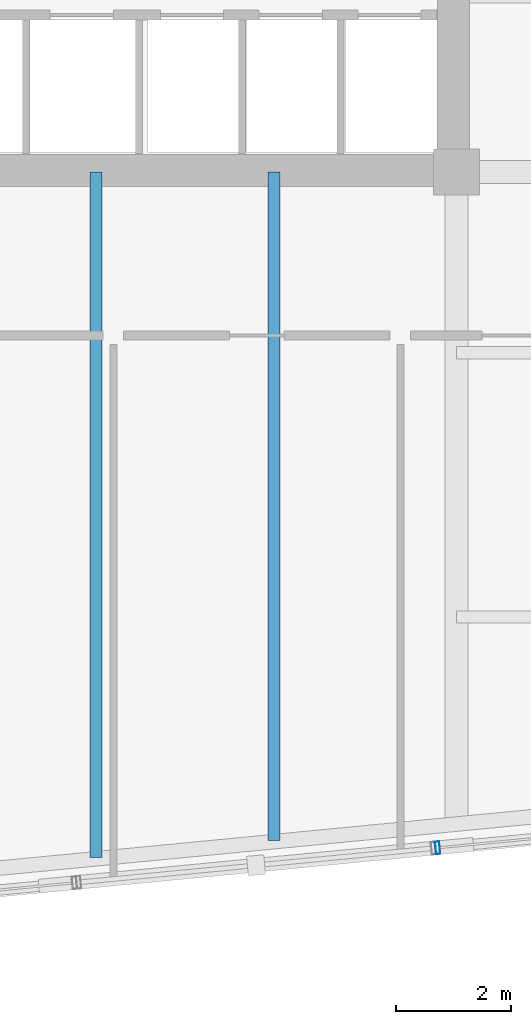
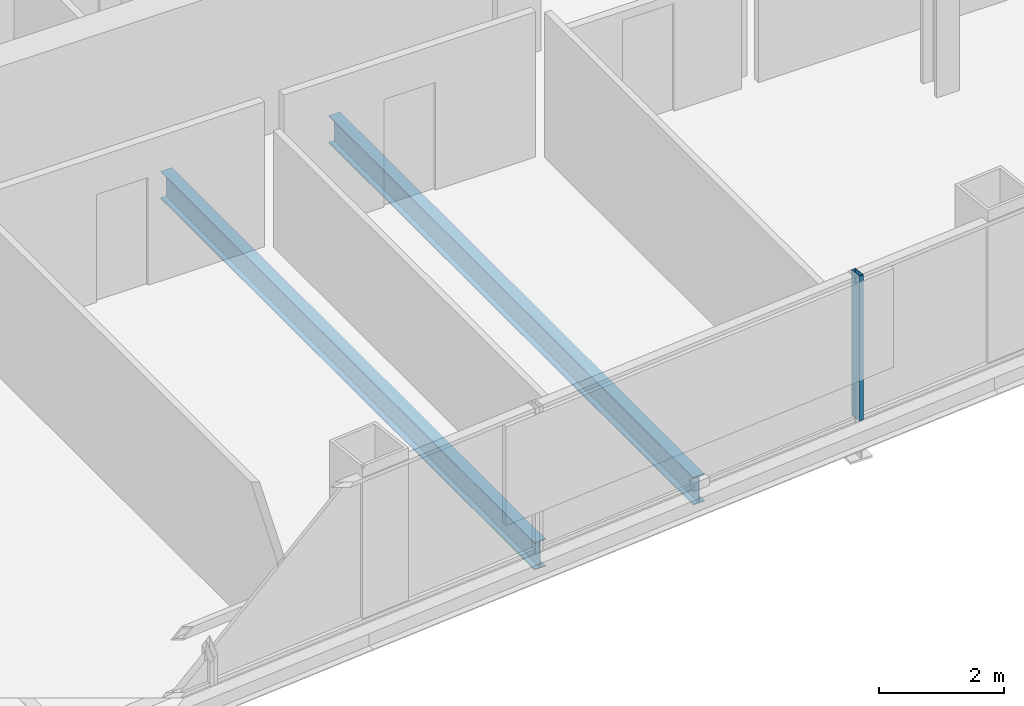
# One storey, part 7 of 34: 2 beams, 1 member, 1 element without a shape of its own.
"""IFC4 building model written with IfcOpenShell, lengths in metres."""

from ifc_helpers import new_model, si_unit, direction, frame, origin, origin_2d, place, context, subcontext, project, spatial, hollow_rectangle, i_section, extrude, material, layer, layer_set, material_profile, profile_set, type_object, element, aggregate, save


model = new_model("IFC4")

# Units and contexts
model_context = context("Model", 3, precision=1e-05, world=origin(), true_north=direction((0.0, 1.0)))
body_context = subcontext(model_context, "Body", "Model", "MODEL_VIEW")
ifc_project = project(units=[si_unit("LENGTHUNIT", "METRE"), si_unit("AREAUNIT", "SQUARE_METRE"), si_unit("VOLUMEUNIT", "CUBIC_METRE"), si_unit("PLANEANGLEUNIT", "RADIAN"), si_unit("MASSUNIT", "GRAM", prefix="KILO")], contexts=[model_context])

# Site, building, storey
site_placement = place(None, origin())
site = spatial("IfcSite", under=ifc_project, at=site_placement, CompositionType="ELEMENT")
building_placement = place(site_placement, origin())
building = spatial("IfcBuilding", under=site, at=building_placement, Name="Qhalaya Broadcast Tower", CompositionType="ELEMENT")
storey_placement = place(building_placement, frame((0.0, 0.0, 78.60009765625)))
storey = spatial("IfcBuildingStorey", under=building, at=storey_placement, Name="L22", CompositionType="ELEMENT", Elevation=78.60009765625)

# Beams
ifc_material_1 = material(Name="Structural Steel ASTM A992 Grade 50", Category="steel")
ifc_material_profile_1 = material_profile(ifc_material_1, i_section(OverallWidth=0.2099609375, OverallDepth=0.535888671875, WebThickness=0.010986328125, FlangeThickness=0.017333984375, at=origin_2d()), Name="W21X68")
ifc_profile_set_1 = profile_set([ifc_material_profile_1], Name="Structural Steel ASTM A992 Grade 50")
beam_type = type_object("IfcBeamType", Name="Composite Floor Joist J02", PredefinedType="JOIST", material=ifc_profile_set_1)
beam_1_placement = place(storey_placement, frame((3.10009765625, -20.693603515625, -0.488037109375), z_axis=(0.0, 1.0, 0.0), x_axis=(-1.0, 0.0, 0.0)))
element("IfcBeam", 1, at=beam_1_placement, inside=storey, type_object=beam_type, Name="L22 J02 L22-JNS4-1", PredefinedType="JOIST", context=body_context, shape_type="SweptSolid", body=[
    extrude(i_section(OverallWidth=0.2099609375, OverallDepth=0.535888671875, WebThickness=0.010986328125, FlangeThickness=0.017333984375, at=origin_2d()), origin(), (0.0, 0.0, 1.0), 11.943603515625),
])
beam_2_placement = place(storey_placement, frame((6.199951171875, -20.395263671875, -0.488037109375), z_axis=(0.0, 1.0, 0.0), x_axis=(-1.0, 0.0, 0.0)))
element("IfcBeam", 2, at=beam_2_placement, inside=storey, type_object=beam_type, Name="L22 J02 L22-JNS5-1", PredefinedType="JOIST", context=body_context, shape_type="SweptSolid", body=[
    extrude(i_section(OverallWidth=0.2099609375, OverallDepth=0.535888671875, WebThickness=0.010986328125, FlangeThickness=0.017333984375, at=origin_2d()), origin(), (0.0, 0.0, 1.0), 11.645263671875),
])

# Curtain wall, member
ifc_material_2 = material(Name="Solar-Control Low-E Triple Glazing", Category="glass")
ifc_layer = layer(ifc_material_2, 0.219970703125, Name="Solar-Control Low-E Triple Glazing")
ifc_layer_set = layer_set([ifc_layer], Name="Solar-Control Low-E Triple Glazing")
curtain_wall_type = type_object("IfcCurtainWallType", Name="Even-Block 4-Storey Double-Module Curtain Wall CW-03", PredefinedType="NOTDEFINED", material=ifc_layer_set)
curtain_wall_placement = place(storey_placement, origin())
curtain_wall = element("IfcCurtainWall", 3, at=curtain_wall_placement, inside=storey, type_object=curtain_wall_type, Name="L22 Unitised Curtain Wall L22-CW-S5", PredefinedType="NOTDEFINED")
ifc_material_3 = material(Name="Anodised Aluminium 6063-T6", Category="aluminium")
ifc_material_profile_2 = material_profile(ifc_material_3, hollow_rectangle(XDim=0.074951171875, YDim=0.219970703125, WallThickness=0.00390625, at=origin_2d()), Name="ALU-MUL 75x220x4")
ifc_profile_set_2 = profile_set([ifc_material_profile_2], Name="Anodised Aluminium 6063-T6")
member_type = type_object("IfcMemberType", Name="Unitised Curtain-Wall Mullion M01", PredefinedType="MULLION", material=ifc_profile_set_2)
member_placement = place(storey_placement, frame((9.050048828125, -20.522705078125, 0.0), z_axis=(0.0, 0.0, 1.0), x_axis=(0.99539731409, 0.095834164588, 0.0)))
member = element("IfcMember", 4, at=member_placement, type_object=member_type, Name="CW-03 mullion 1", PredefinedType="MULLION", context=body_context, shape_type="SweptSolid", body=[
    extrude(hollow_rectangle(XDim=0.074951171875, YDim=0.219970703125, WallThickness=0.00390625, at=origin_2d()), origin(), (0.0, 0.0, 1.0), 2.829833984375),
])
aggregate(curtain_wall, [member])

save(model, "model.ifc")
